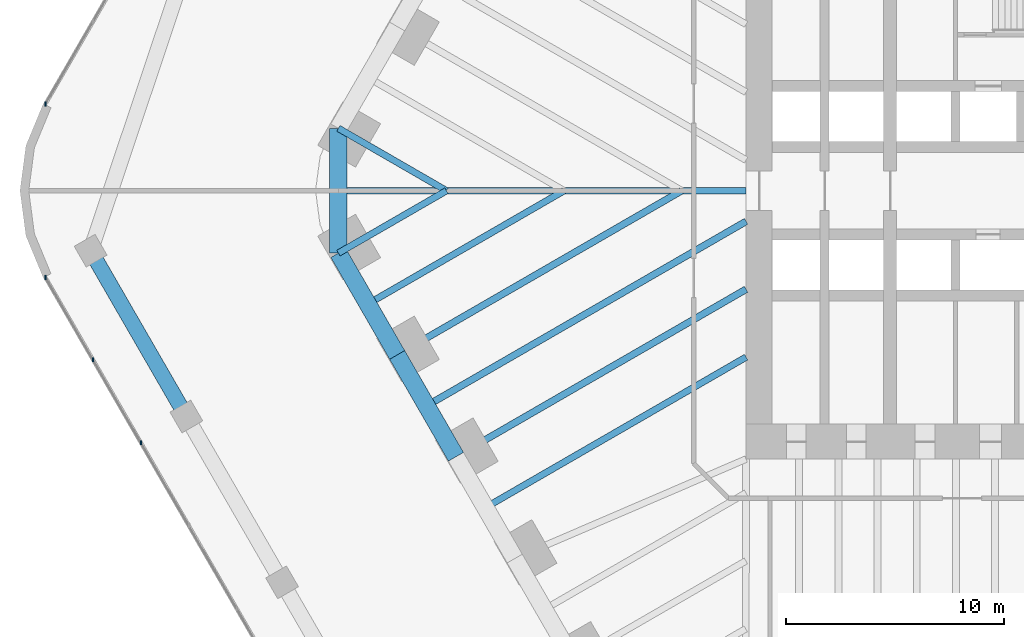
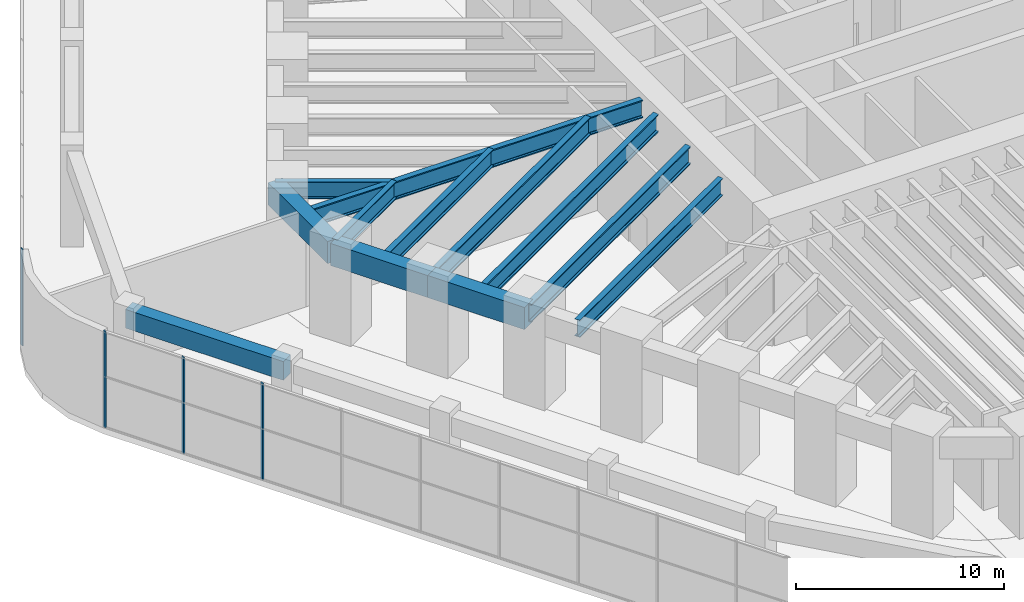
# One storey, part 9 of 31: 12 beams, 4 members, 2 elements without a shape of their own.
"""IFC4 building model written with IfcOpenShell, lengths in metres."""

from ifc_helpers import new_model, si_unit, direction, frame, origin, origin_2d, place, context, subcontext, project, spatial, rectangle, i_section, extrude, material, material_profile, profile_set, type_object, element, aggregate, save


model = new_model("IFC4")

# Units and contexts
model_context = context("Model", 3, precision=1e-05, world=origin(), true_north=direction((0.0, 1.0)))
body_context = subcontext(model_context, "Body", "Model", "MODEL_VIEW")
ifc_project = project(units=[si_unit("LENGTHUNIT", "METRE"), si_unit("AREAUNIT", "SQUARE_METRE"), si_unit("VOLUMEUNIT", "CUBIC_METRE"), si_unit("PLANEANGLEUNIT", "RADIAN"), si_unit("MASSUNIT", "GRAM", prefix="KILO")], contexts=[model_context])

# Site, building, storey
site_placement = place(None, origin())
site = spatial("IfcSite", under=ifc_project, at=site_placement, CompositionType="ELEMENT")
building_placement = place(site_placement, origin())
building = spatial("IfcBuilding", under=site, at=building_placement, Name="Tarfa Lantern Tower", CompositionType="ELEMENT")
storey_placement = place(building_placement, frame((0.0, 0.0, 7.0)))
storey = spatial("IfcBuildingStorey", under=building, at=storey_placement, Name="L01", CompositionType="ELEMENT", Elevation=7.0)

# Curtain wall, member
ifc_material_1 = material(Name="Aluminium framed curtain wall", Category="aluminium")
curtain_wall_type = type_object("IfcCurtainWallType", Name="CW7 PODIUM GLAZING 5650", PredefinedType="USERDEFINED", material=ifc_material_1)
curtain_wall_1_placement = place(storey_placement, origin())
curtain_wall_1 = element("IfcCurtainWall", 1, at=curtain_wall_1_placement, inside=storey, type_object=curtain_wall_type, Name="CW7 NW L01", ObjectType="CURTAIN WALL", PredefinedType="USERDEFINED")
ifc_material_2 = material(Name="Aluminium mullion", Category="aluminium")
ifc_material_profile_1 = material_profile(ifc_material_2, rectangle(XDim=0.06494140625, YDim=0.199951171875, at=origin_2d()), Name="AL MULLION 65x200")
ifc_profile_set_1 = profile_set([ifc_material_profile_1], Name="Aluminium mullion")
member_type = type_object("IfcMemberType", Name="CWM1 MULLION 65x200", PredefinedType="MULLION", material=ifc_profile_set_1)
member_1_placement = place(storey_placement, frame((-50.703857421875, 3.97802734375, 0.0), z_axis=(0.0, 0.0, 1.0), x_axis=(1.0, 0.0, 0.0)))
member_1 = element("IfcMember", 2, at=member_1_placement, type_object=member_type, Name="CW7 mullion 11", PredefinedType="MULLION", context=body_context, shape_type="SweptSolid", body=[
    extrude(rectangle(XDim=0.06494140625, YDim=0.199951171875, at=origin_2d()), origin(), (0.0, 0.0, 1.0), 5.64990234375),
])
aggregate(curtain_wall_1, [member_1])

# Curtain wall, members
curtain_wall_2_placement = place(storey_placement, origin())
curtain_wall_2 = element("IfcCurtainWall", 3, at=curtain_wall_2_placement, inside=storey, type_object=curtain_wall_type, Name="CW7 SW L01", ObjectType="CURTAIN WALL", PredefinedType="USERDEFINED")
member_2_placement = place(storey_placement, frame((-50.703857421875, -3.97802734375, 0.0), z_axis=(0.0, 0.0, 1.0), x_axis=(1.0, 0.0, 0.0)))
member_2 = element("IfcMember", 4, at=member_2_placement, type_object=member_type, Name="CW7 mullion 1", PredefinedType="MULLION", context=body_context, shape_type="SweptSolid", body=[
    extrude(rectangle(XDim=0.06494140625, YDim=0.199951171875, at=origin_2d()), origin(), (0.0, 0.0, 1.0), 5.64990234375),
])
member_3_placement = place(storey_placement, frame((-48.5263671875, -7.75, 0.0), z_axis=(0.0, 0.0, 1.0), x_axis=(1.0, 0.0, 0.0)))
member_3 = element("IfcMember", 5, at=member_3_placement, type_object=member_type, Name="CW7 mullion 2", PredefinedType="MULLION", context=body_context, shape_type="SweptSolid", body=[
    extrude(rectangle(XDim=0.06494140625, YDim=0.199951171875, at=origin_2d()), origin(), (0.0, 0.0, 1.0), 5.64990234375),
])
member_4_placement = place(storey_placement, frame((-46.332275390625, -11.550048828125, 0.0), z_axis=(0.0, 0.0, 1.0), x_axis=(1.0, 0.0, 0.0)))
member_4 = element("IfcMember", 6, at=member_4_placement, type_object=member_type, Name="CW7 mullion 3", PredefinedType="MULLION", context=body_context, shape_type="SweptSolid", body=[
    extrude(rectangle(XDim=0.06494140625, YDim=0.199951171875, at=origin_2d()), origin(), (0.0, 0.0, 1.0), 5.64990234375),
])
aggregate(curtain_wall_2, [member_2, member_3, member_4])

# Beams
ifc_material_3 = material(Name="Concrete C80/95", Category="concrete")
ifc_material_profile_2 = material_profile(ifc_material_3, rectangle(XDim=0.800048828125, YDim=1.300048828125, at=origin_2d()), Name="RC 800x1300")
ifc_profile_set_2 = profile_set([ifc_material_profile_2], Name="Concrete C80/95")
beam_type_1 = type_object("IfcBeamType", Name="EB1 RC 800x1300", PredefinedType="SPANDREL", material=ifc_profile_set_2)
beam_1_placement = place(storey_placement, frame((-37.285400390625, 2.860107421875, 5.0), z_axis=(0.0, -1.0, 0.0), x_axis=(1.0, 0.0, 0.0)))
element("IfcBeam", 7, at=beam_1_placement, inside=storey, type_object=beam_type_1, Name="Edge beam NW6", PredefinedType="SPANDREL", context=body_context, shape_type="SweptSolid", body=[
    extrude(rectangle(XDim=0.800048828125, YDim=1.300048828125, at=origin_2d()), origin(), (0.0, 0.0, 1.0), 5.72021484375),
])
beam_2_placement = place(storey_placement, frame((-37.285400390625, -2.860107421875, 5.0), z_axis=(0.500017906299, -0.866015065331, 0.0), x_axis=(0.866015065331, 0.500017906299, 0.0)))
element("IfcBeam", 8, at=beam_2_placement, inside=storey, type_object=beam_type_1, Name="Edge beam SW0", PredefinedType="SPANDREL", context=body_context, shape_type="SweptSolid", body=[
    extrude(rectangle(XDim=0.800048828125, YDim=1.300048828125, at=origin_2d()), origin(), (0.0, 0.0, 1.0), 5.388427734375),
])
beam_3_placement = place(storey_placement, frame((-34.591064453125, -7.526611328125, 5.0), z_axis=(0.499998287579, -0.866026392449, 0.0), x_axis=(0.866026392449, 0.499998287579, 0.0)))
element("IfcBeam", 9, at=beam_3_placement, inside=storey, type_object=beam_type_1, Name="Edge beam SW1", PredefinedType="SPANDREL", context=body_context, shape_type="SweptSolid", body=[
    extrude(rectangle(XDim=0.800048828125, YDim=1.300048828125, at=origin_2d()), origin(), (0.0, 0.0, 1.0), 5.388671875),
])
ifc_material_profile_3 = material_profile(ifc_material_3, rectangle(XDim=0.699951171875, YDim=1.10009765625, at=origin_2d()), Name="RC 700x1100")
ifc_profile_set_3 = profile_set([ifc_material_profile_3], Name="Concrete C80/95")
beam_type_2 = type_object("IfcBeamType", Name="PB1 RC 700x1100", PredefinedType="BEAM", material=ifc_profile_set_3)
beam_4_placement = place(storey_placement, frame((-48.641845703125, -2.75, 5.10009765625), z_axis=(0.50000179687, -0.866024366359, 0.0), x_axis=(0.866024366359, 0.50000179687, 0.0)))
element("IfcBeam", 10, at=beam_4_placement, inside=storey, type_object=beam_type_2, Name="Podium ring beam SW0", PredefinedType="BEAM", context=body_context, shape_type="SweptSolid", body=[
    extrude(rectangle(XDim=0.699951171875, YDim=1.10009765625, at=origin_2d()), origin(), (0.0, 0.0, 1.0), 8.77587890625),
])
ifc_material_4 = material(Name="Steel S460M", Category="steel")
ifc_material_profile_4 = material_profile(ifc_material_4, i_section(OverallWidth=0.302001953125, OverallDepth=1.008056640625, WebThickness=0.02099609375, FlangeThickness=0.0400390625, FilletRadius=0.030029296875, at=origin_2d()), Name="UB1016x305x349")
ifc_profile_set_4 = profile_set([ifc_material_profile_4], Name="Steel S460M")
beam_type_3 = type_object("IfcBeamType", Name="UB1016x305x349", PredefinedType="BEAM", material=ifc_profile_set_4)
for number, where, z_axis, x_axis, name in (
    (11, (-37.285400390625, 2.860107421875, 5.14599609375), (0.866025668288, -0.499999541866, 0.0), (0.499999541866, 0.866025668288, 0.0), "Floor beam NW6"),
    (12, (-37.285400390625, -2.860107421875, 5.14599609375), (0.866025668288, 0.499999541866, 0.0), (-0.499999541866, 0.866025668288, 0.0), "Floor beam SW0"),
):
    element("IfcBeam", number, at=place(storey_placement, frame(where, z_axis=z_axis, x_axis=x_axis)), inside=storey, type_object=beam_type_3, Name=name, PredefinedType="BEAM", context=body_context, shape_type="SweptSolid", body=[
        extrude(i_section(OverallWidth=0.302001953125, OverallDepth=1.008056640625, WebThickness=0.02099609375, FlangeThickness=0.0400390625, FilletRadius=0.030029296875, at=origin_2d()), origin(), (0.0, 0.0, 1.0), 5.72021484375),
    ])
beam_5_placement = place(storey_placement, frame((-35.938232421875, -5.193359375, 5.14599609375), z_axis=(0.866024317969, 0.500001880682, 0.0), x_axis=(-0.500001880682, 0.866024317969, 0.0)))
element("IfcBeam", 13, at=beam_5_placement, inside=storey, type_object=beam_type_3, Name="Floor beam SW0M", PredefinedType="BEAM", context=body_context, shape_type="SweptSolid", body=[
    extrude(i_section(OverallWidth=0.302001953125, OverallDepth=1.008056640625, WebThickness=0.02099609375, FlangeThickness=0.0400390625, FilletRadius=0.030029296875, at=origin_2d()), origin(), (0.0, 0.0, 1.0), 10.38671875),
])
beam_6_placement = place(storey_placement, frame((-30.549560546875, -14.526611328125, 5.14599609375), z_axis=(0.866028536827, 0.499994573371, 0.0), x_axis=(-0.499994573371, 0.866028536827, 0.0)))
element("IfcBeam", 14, at=beam_6_placement, inside=storey, type_object=beam_type_3, Name="Floor beam SW2M", PredefinedType="BEAM", context=body_context, shape_type="SweptSolid", body=[
    extrude(i_section(OverallWidth=0.302001953125, OverallDepth=1.008056640625, WebThickness=0.02099609375, FlangeThickness=0.0400390625, FilletRadius=0.030029296875, at=origin_2d()), origin(), (0.0, 0.0, 1.0), 13.798095703125),
])
ifc_material_profile_5 = material_profile(ifc_material_4, i_section(OverallWidth=0.314208984375, OverallDepth=1.055908203125, WebThickness=0.035888671875, FlangeThickness=0.06396484375, FilletRadius=0.030029296875, at=origin_2d()), Name="UB1016x305x584")
ifc_profile_set_5 = profile_set([ifc_material_profile_5], Name="Steel S460M")
beam_type_4 = type_object("IfcBeamType", Name="UB1016x305x584", PredefinedType="BEAM", material=ifc_profile_set_5)
beam_7_placement = place(storey_placement, frame((-18.60009765625, 0.0, 5.1220703125), z_axis=(-1.0, 0.0, 0.0), x_axis=(0.0, -1.0, 0.0)))
element("IfcBeam", 15, at=beam_7_placement, inside=storey, type_object=beam_type_4, Name="Hip girder W", PredefinedType="BEAM", context=body_context, shape_type="SweptSolid", body=[
    extrude(i_section(OverallWidth=0.314208984375, OverallDepth=1.055908203125, WebThickness=0.035888671875, FlangeThickness=0.06396484375, FilletRadius=0.030029296875, at=origin_2d()), origin(), (0.0, 0.0, 1.0), 18.685302734375),
])
beam_8_placement = place(storey_placement, frame((-34.591064453125, -7.526611328125, 5.1220703125), z_axis=(0.86602785945, 0.499995746638, 0.0), x_axis=(-0.499995746638, 0.86602785945, 0.0)))
element("IfcBeam", 16, at=beam_8_placement, inside=storey, type_object=beam_type_4, Name="Floor beam SW1", PredefinedType="BEAM", context=body_context, shape_type="SweptSolid", body=[
    extrude(i_section(OverallWidth=0.314208984375, OverallDepth=1.055908203125, WebThickness=0.035888671875, FlangeThickness=0.06396484375, FilletRadius=0.030029296875, at=origin_2d()), origin(), (0.0, 0.0, 1.0), 15.053466796875),
])
beam_9_placement = place(storey_placement, frame((-31.896728515625, -12.193359375, 5.1220703125), z_axis=(0.866026971665, 0.499997284341, 0.0), x_axis=(-0.499997284341, 0.866026971665, 0.0)))
element("IfcBeam", 17, at=beam_9_placement, inside=storey, type_object=beam_type_4, Name="Floor beam SW2", PredefinedType="BEAM", context=body_context, shape_type="SweptSolid", body=[
    extrude(i_section(OverallWidth=0.314208984375, OverallDepth=1.055908203125, WebThickness=0.035888671875, FlangeThickness=0.06396484375, FilletRadius=0.030029296875, at=origin_2d()), origin(), (0.0, 0.0, 1.0), 15.353515625),
])
beam_10_placement = place(storey_placement, frame((-33.243896484375, -9.860107421875, 5.1220703125), z_axis=(0.866019442478, 0.500010325144, 0.0), x_axis=(-0.500010325144, 0.866019442478, 0.0)))
element("IfcBeam", 18, at=beam_10_placement, inside=storey, type_object=beam_type_4, Name="Floor beam SW1M", PredefinedType="BEAM", context=body_context, shape_type="SweptSolid", body=[
    extrude(i_section(OverallWidth=0.314208984375, OverallDepth=1.055908203125, WebThickness=0.035888671875, FlangeThickness=0.06396484375, FilletRadius=0.030029296875, at=origin_2d()), origin(), (0.0, 0.0, 1.0), 16.909423828125),
])

save(model, "model.ifc")
